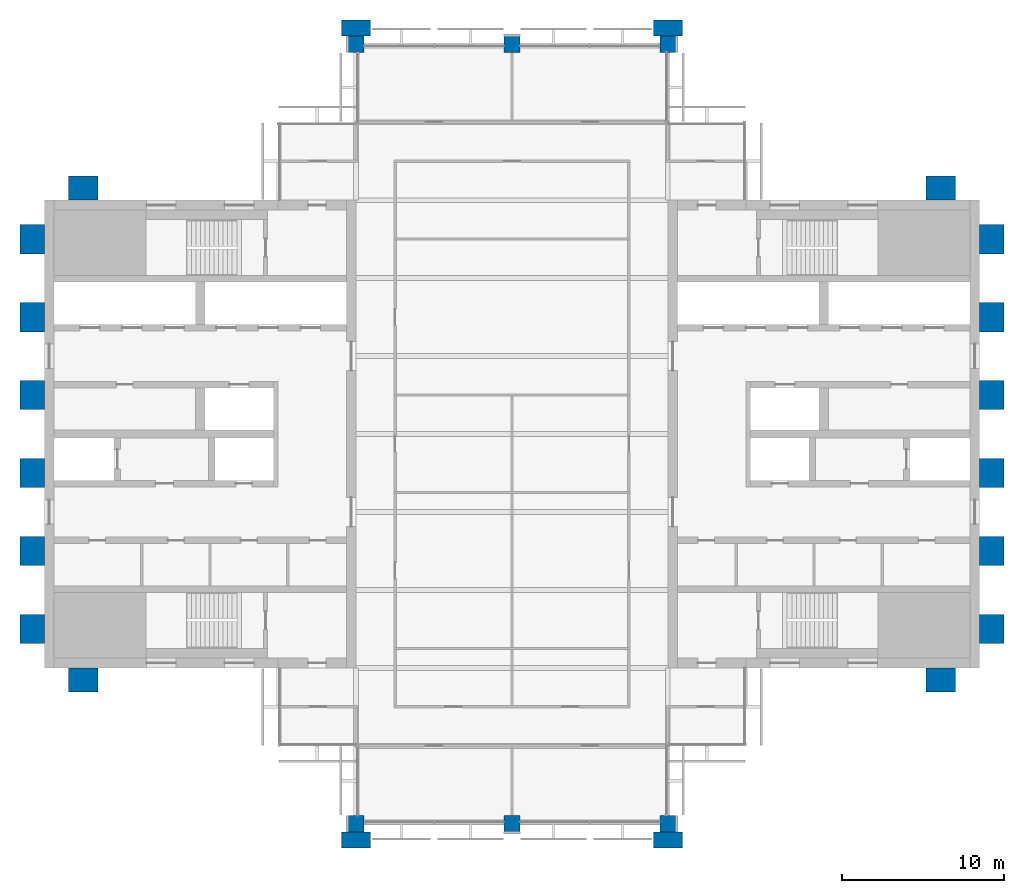
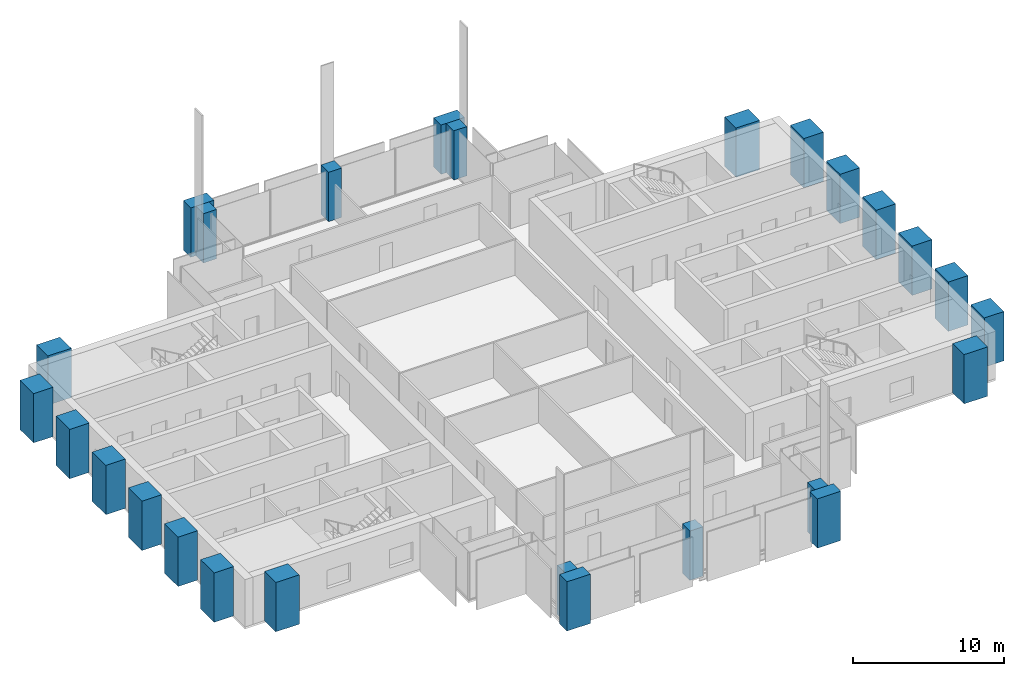
# One storey, part 1 of 12: 26 columns.
"""IFC4 building model written with IfcOpenShell, lengths in metres."""

from ifc_helpers import new_model, si_unit, direction, frame, origin, origin_2d, place, context, subcontext, project, spatial, rectangle, extrude, material, material_profile, profile_set, type_object, element, save


model = new_model("IFC4")

# Units and contexts
model_context = context("Model", 3, precision=1e-05, world=origin(), true_north=direction((0.0, 1.0)))
body_context = subcontext(model_context, "Body", "Model", "MODEL_VIEW")
ifc_project = project(units=[si_unit("LENGTHUNIT", "METRE"), si_unit("AREAUNIT", "SQUARE_METRE"), si_unit("VOLUMEUNIT", "CUBIC_METRE"), si_unit("PLANEANGLEUNIT", "RADIAN"), si_unit("MASSUNIT", "GRAM", prefix="KILO")], contexts=[model_context])

# Site, building, storey
site_placement = place(None, origin())
site = spatial("IfcSite", under=ifc_project, at=site_placement, CompositionType="ELEMENT")
building_placement = place(site_placement, origin())
building = spatial("IfcBuilding", under=site, at=building_placement, Name="Baori Bourse Tower", CompositionType="ELEMENT")
storey_placement = place(building_placement, frame((0.0, 0.0, 306.300048828125)))
storey = spatial("IfcBuildingStorey", under=building, at=storey_placement, Name="L67", CompositionType="ELEMENT", Elevation=306.300048828125)

# Columns
ifc_material_1 = material(Name="Concrete f'c 60 MPa", Category="concrete")
ifc_material_profile_1 = material_profile(ifc_material_1, rectangle(XDim=1.800048828125, YDim=1.0, at=origin_2d()), Name="RC 1800x1000")
ifc_profile_set_1 = profile_set([ifc_material_profile_1], Name="Concrete f'c 60 MPa")
column_type_1 = type_object("IfcColumnType", Name="FN3 Brick pilaster 1800x1000", PredefinedType="PILASTER", material=ifc_profile_set_1)
for number, where, z_axis, x_axis, name in (
    (1, (19.199951171875, -1.0, 0.0), (0.0, 0.0, 1.0), (1.0, 0.0, 0.0), "Brick pilaster L67 17"),
    (2, (38.39990234375, -1.0, 0.0), (0.0, 0.0, 1.0), (1.0, 0.0, 0.0), "Brick pilaster L67 18"),
    (3, (19.199951171875, 49.0, 0.0), (0.0, 0.0, 1.0), (1.0, 0.0, 0.0), "Brick pilaster L67 19"),
    (4, (38.39990234375, 49.0, 0.0), (0.0, 0.0, 1.0), (1.0, 0.0, 0.0), "Brick pilaster L67 20"),
):
    element("IfcColumn", number, at=place(storey_placement, frame(where, z_axis=z_axis, x_axis=x_axis)), inside=storey, type_object=column_type_1, Name=name, PredefinedType="PILASTER", context=body_context, shape_type="SweptSolid", body=[
        extrude(rectangle(XDim=1.800048828125, YDim=1.0, at=origin_2d()), origin(), (0.0, 0.0, 1.0), 4.0),
    ])
ifc_material_2 = material(Name="Concrete f'c 60 MPa", Category="concrete")
ifc_material_profile_2 = material_profile(ifc_material_2, rectangle(XDim=1.800048828125, YDim=1.5, at=origin_2d()), Name="RC 1800x1500")
ifc_profile_set_2 = profile_set([ifc_material_profile_2], Name="Concrete f'c 60 MPa")
column_type_2 = type_object("IfcColumnType", Name="FN4 Brick flank pilaster 1800x1500", PredefinedType="PILASTER", material=ifc_profile_set_2)
for number, where, z_axis, x_axis, name in (
    (5, (55.199951171875, 8.85009765625, 0.0), (0.0, 0.0, 1.0), (1.0, 0.0, 0.0), "Brick pilaster L67 1"),
    (6, (58.35009765625, 12.0, 0.0), (0.0, 0.0, 1.0), (0.0, 1.0, 0.0), "Brick pilaster L67 2"),
    (7, (58.35009765625, 16.800048828125, 0.0), (0.0, 0.0, 1.0), (0.0, 1.0, 0.0), "Brick pilaster L67 3"),
    (8, (58.35009765625, 21.60009765625, 0.0), (0.0, 0.0, 1.0), (0.0, 1.0, 0.0), "Brick pilaster L67 4"),
    (9, (58.35009765625, 26.39990234375, 0.0), (0.0, 0.0, 1.0), (0.0, 1.0, 0.0), "Brick pilaster L67 5"),
    (10, (58.35009765625, 31.199951171875, 0.0), (0.0, 0.0, 1.0), (0.0, 1.0, 0.0), "Brick pilaster L67 6"),
    (11, (58.35009765625, 36.0, 0.0), (0.0, 0.0, 1.0), (0.0, 1.0, 0.0), "Brick pilaster L67 7"),
    (12, (55.199951171875, 39.14990234375, 0.0), (0.0, 0.0, 1.0), (1.0, 0.0, 0.0), "Brick pilaster L67 8"),
    (13, (2.39990234375, 39.14990234375, 0.0), (0.0, 0.0, 1.0), (1.0, 0.0, 0.0), "Brick pilaster L67 9"),
    (14, (-0.75, 12.0, 0.0), (0.0, 0.0, 1.0), (0.0, 1.0, 0.0), "Brick pilaster L67 10"),
    (15, (-0.75, 16.800048828125, 0.0), (0.0, 0.0, 1.0), (0.0, 1.0, 0.0), "Brick pilaster L67 11"),
    (16, (-0.75, 21.60009765625, 0.0), (0.0, 0.0, 1.0), (0.0, 1.0, 0.0), "Brick pilaster L67 12"),
    (17, (-0.75, 26.39990234375, 0.0), (0.0, 0.0, 1.0), (0.0, 1.0, 0.0), "Brick pilaster L67 13"),
    (18, (-0.75, 31.199951171875, 0.0), (0.0, 0.0, 1.0), (0.0, 1.0, 0.0), "Brick pilaster L67 14"),
    (19, (-0.75, 36.0, 0.0), (0.0, 0.0, 1.0), (0.0, 1.0, 0.0), "Brick pilaster L67 15"),
    (20, (2.39990234375, 8.85009765625, 0.0), (0.0, 0.0, 1.0), (1.0, 0.0, 0.0), "Brick pilaster L67 16"),
):
    element("IfcColumn", number, at=place(storey_placement, frame(where, z_axis=z_axis, x_axis=x_axis)), inside=storey, type_object=column_type_2, Name=name, PredefinedType="PILASTER", context=body_context, shape_type="SweptSolid", body=[
        extrude(rectangle(XDim=1.800048828125, YDim=1.5, at=origin_2d()), origin(), (0.0, 0.0, 1.0), 4.0),
    ])
ifc_material_3 = material(Name="Concrete f'c 40 MPa", Category="concrete")
ifc_material_profile_3 = material_profile(ifc_material_3, rectangle(XDim=1.0, YDim=1.0, at=origin_2d()), Name="RC 1000x1000")
ifc_profile_set_3 = profile_set([ifc_material_profile_3], Name="Concrete f'c 40 MPa")
column_type_3 = type_object("IfcColumnType", Name="Perimeter column 40 RC 1000x1000", PredefinedType="COLUMN", material=ifc_profile_set_3)
for number, where, z_axis, x_axis, name in (
    (21, (19.199951171875, 0.0, 0.0), (0.0, 0.0, 1.0), (1.0, 0.0, 0.0), "Perimeter column L67"),
    (22, (28.800048828125, 0.0, 0.0), (0.0, 0.0, 1.0), (1.0, 0.0, 0.0), "Perimeter column L67"),
    (23, (38.39990234375, 0.0, 0.0), (0.0, 0.0, 1.0), (1.0, 0.0, 0.0), "Perimeter column L67"),
    (24, (19.199951171875, 48.0, 0.0), (0.0, 0.0, 1.0), (1.0, 0.0, 0.0), "Perimeter column L67"),
    (25, (28.800048828125, 48.0, 0.0), (0.0, 0.0, 1.0), (1.0, 0.0, 0.0), "Perimeter column L67"),
    (26, (38.39990234375, 48.0, 0.0), (0.0, 0.0, 1.0), (1.0, 0.0, 0.0), "Perimeter column L67"),
):
    element("IfcColumn", number, at=place(storey_placement, frame(where, z_axis=z_axis, x_axis=x_axis)), inside=storey, type_object=column_type_3, Name=name, PredefinedType="COLUMN", context=body_context, shape_type="SweptSolid", body=[
        extrude(rectangle(XDim=1.0, YDim=1.0, at=origin_2d()), origin(), (0.0, 0.0, 1.0), 4.0),
    ])

save(model, "model.ifc")
